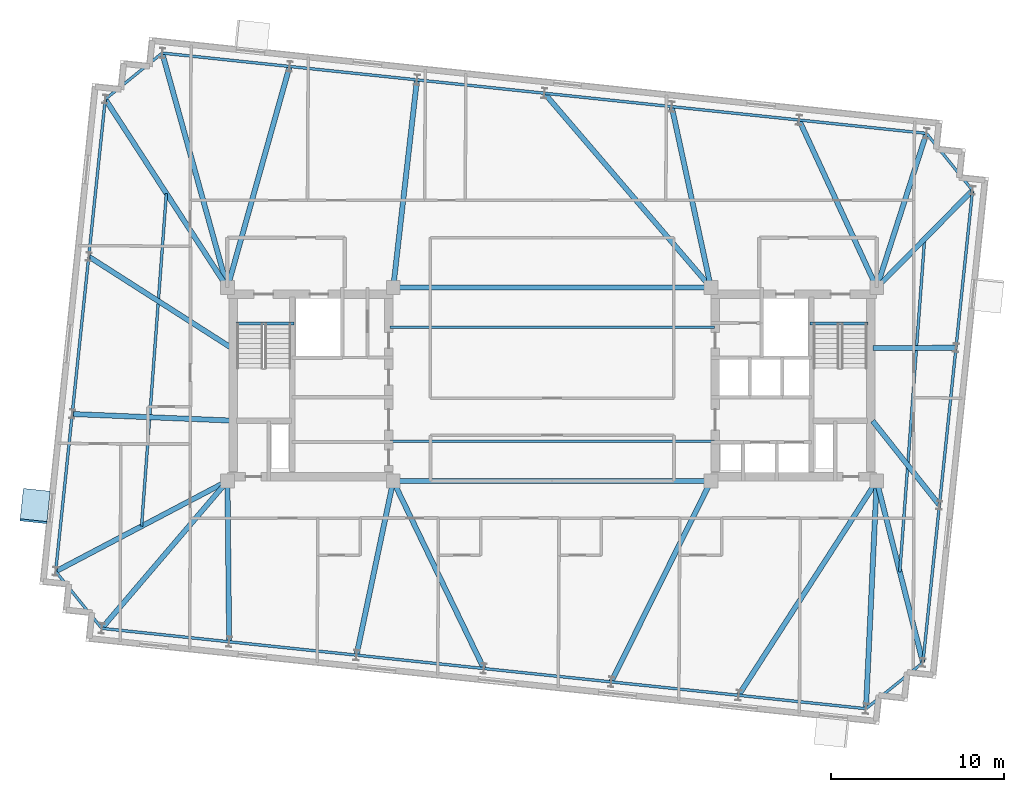
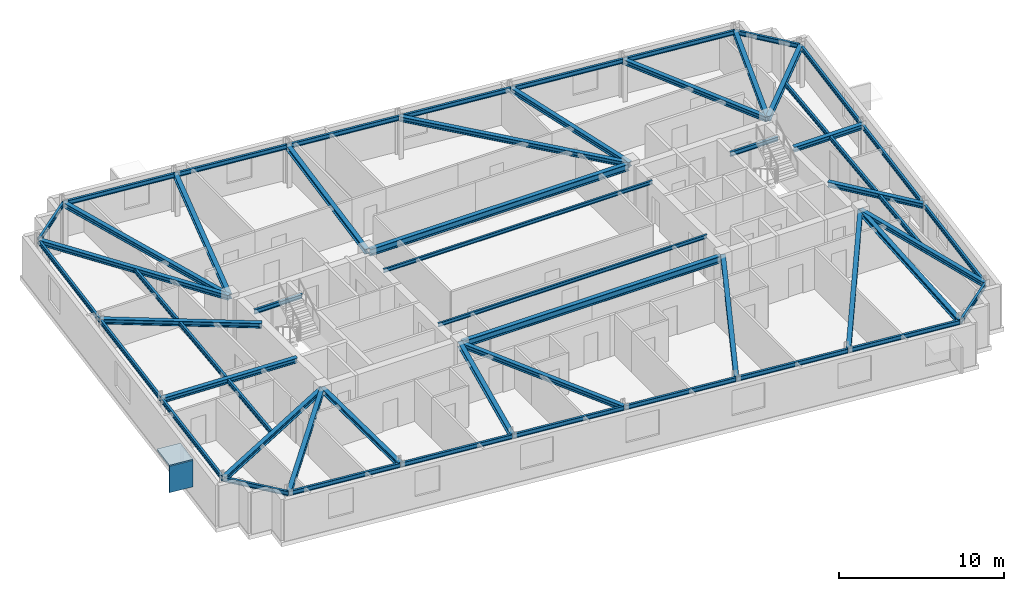
# One storey, part 4 of 11: 52 beams, 2 plates.
"""IFC4 building model written with IfcOpenShell, lengths in metres."""

from ifc_helpers import new_model, si_unit, direction, frame, origin, origin_2d, place, context, subcontext, project, spatial, rectangle, i_section, extrude, material, layer, layer_set, material_profile, profile_set, type_object, element, save


model = new_model("IFC4")

# Units and contexts
model_context = context("Model", 3, precision=1e-05, world=origin(), true_north=direction((0.0, 1.0)))
body_context = subcontext(model_context, "Body", "Model", "MODEL_VIEW")
ifc_project = project(units=[si_unit("LENGTHUNIT", "METRE"), si_unit("AREAUNIT", "SQUARE_METRE"), si_unit("VOLUMEUNIT", "CUBIC_METRE"), si_unit("PLANEANGLEUNIT", "RADIAN"), si_unit("MASSUNIT", "GRAM", prefix="KILO")], contexts=[model_context])

# Site, building, storey
site_placement = place(None, origin())
site = spatial("IfcSite", under=ifc_project, at=site_placement, CompositionType="ELEMENT")
building_placement = place(site_placement, origin())
building = spatial("IfcBuilding", under=site, at=building_placement, Name="Qobustan Lattice House", CompositionType="ELEMENT")
storey_placement = place(building_placement, frame((0.0, 0.0, 216.5)))
storey = spatial("IfcBuildingStorey", under=building, at=storey_placement, Name="L61", CompositionType="ELEMENT", Elevation=216.5)

# Beams
ifc_material_1 = material(Name="Steel S355", Category="steel")
ifc_material_profile_1 = material_profile(ifc_material_1, i_section(OverallWidth=0.300048828125, OverallDepth=0.5, WebThickness=0.014404296875, FlangeThickness=0.028076171875, FilletRadius=0.027099609375, at=origin_2d()), Name="HEB500")
ifc_profile_set_1 = profile_set([ifc_material_profile_1], Name="Steel S355")
beam_type_1 = type_object("IfcBeamType", Name="BM-CG-HEB500", PredefinedType="USERDEFINED", material=ifc_profile_set_1)
for number, where, z_axis, x_axis, name in (
    (1, (-9.050048828125, -5.60009765625, 2.7900390625), (1.0, 0.0, 0.0), (0.0, 1.0, 0.0), "L61 core spine girder CG-CS"),
    (2, (-9.050048828125, 5.60009765625, 2.7900390625), (1.0, 0.0, 0.0), (0.0, 1.0, 0.0), "L61 core spine girder CG-CN"),
):
    element("IfcBeam", number, at=place(storey_placement, frame(where, z_axis=z_axis, x_axis=x_axis)), inside=storey, type_object=beam_type_1, Name=name, ObjectType="GIRDER", PredefinedType="USERDEFINED", context=body_context, shape_type="SweptSolid", body=[
        extrude(i_section(OverallWidth=0.300048828125, OverallDepth=0.5, WebThickness=0.014404296875, FlangeThickness=0.028076171875, FilletRadius=0.027099609375, at=origin_2d()), origin(), (0.0, 0.0, 1.0), 18.10009765625),
    ])
ifc_material_2 = material(Name="Steel S355", Category="steel")
ifc_material_profile_2 = material_profile(ifc_material_2, i_section(OverallWidth=0.300048828125, OverallDepth=0.360107421875, WebThickness=0.012451171875, FlangeThickness=0.0224609375, FilletRadius=0.027099609375, at=origin_2d()), Name="HEB360")
ifc_profile_set_2 = profile_set([ifc_material_profile_2], Name="Steel S355")
beam_type_2 = type_object("IfcBeamType", Name="BM-FLG-HEB360", PredefinedType="USERDEFINED", material=ifc_profile_set_2)
beam_1_placement = place(storey_placement, frame((-26.062744140625, -14.113525390625, 2.860107421875), z_axis=(0.649006911642, 0.760782510736, 0.0), x_axis=(-0.760782510736, 0.649006911642, 0.0)))
element("IfcBeam", 3, at=beam_1_placement, inside=storey, type_object=beam_type_2, Name="L61 primary floor girder RAD-S1W", ObjectType="GIRDER", PredefinedType="USERDEFINED", context=body_context, shape_type="SweptSolid", body=[
    extrude(i_section(OverallWidth=0.300048828125, OverallDepth=0.360107421875, WebThickness=0.012451171875, FlangeThickness=0.0224609375, FilletRadius=0.027099609375, at=origin_2d()), origin(), (0.0, 0.0, 1.0), 11.16552734375),
])
beam_2_placement = place(storey_placement, frame((-18.703125, -14.8828125, 2.860107421875), z_axis=(-0.010442468578, 0.999945475939, 0.0), x_axis=(-0.999945475939, -0.010442468578, 0.0)))
element("IfcBeam", 4, at=beam_2_placement, inside=storey, type_object=beam_type_2, Name="L61 primary floor girder RAD-S2", ObjectType="GIRDER", PredefinedType="USERDEFINED", context=body_context, shape_type="SweptSolid", body=[
    extrude(i_section(OverallWidth=0.300048828125, OverallDepth=0.360107421875, WebThickness=0.012451171875, FlangeThickness=0.0224609375, FilletRadius=0.027099609375, at=origin_2d()), origin(), (0.0, 0.0, 1.0), 9.25830078125),
])
beam_3_placement = place(storey_placement, frame((-11.32177734375, -15.658447265625, 2.860107421875), z_axis=(0.206411213198, 0.978465334627, 0.0), x_axis=(-0.978465334627, 0.206411213198, 0.0)))
element("IfcBeam", 5, at=beam_3_placement, inside=storey, type_object=beam_type_2, Name="L61 primary floor girder RAD-S3", ObjectType="GIRDER", PredefinedType="USERDEFINED", context=body_context, shape_type="SweptSolid", body=[
    extrude(i_section(OverallWidth=0.300048828125, OverallDepth=0.360107421875, WebThickness=0.012451171875, FlangeThickness=0.0224609375, FilletRadius=0.027099609375, at=origin_2d()), origin(), (0.0, 0.0, 1.0), 10.2548828125),
])
beam_4_placement = place(storey_placement, frame((-3.9619140625, -16.435791015625, 2.860107421875), z_axis=(-0.435229353302, 0.900319615483, 0.0), x_axis=(-0.900319615483, -0.435229353302, 0.0)))
element("IfcBeam", 6, at=beam_4_placement, inside=storey, type_object=beam_type_2, Name="L61 primary floor girder RAD-S4", ObjectType="GIRDER", PredefinedType="USERDEFINED", context=body_context, shape_type="SweptSolid", body=[
    extrude(i_section(OverallWidth=0.300048828125, OverallDepth=0.360107421875, WebThickness=0.012451171875, FlangeThickness=0.0224609375, FilletRadius=0.027099609375, at=origin_2d()), origin(), (0.0, 0.0, 1.0), 12.010498046875),
])
beam_5_placement = place(storey_placement, frame((3.436279296875, -17.211181640625, 2.860107421875), z_axis=(0.444630337125, 0.895714163843, 0.0), x_axis=(-0.895714163843, 0.444630337125, 0.0)))
element("IfcBeam", 7, at=beam_5_placement, inside=storey, type_object=beam_type_2, Name="L61 primary floor girder RAD-S5", ObjectType="GIRDER", PredefinedType="USERDEFINED", context=body_context, shape_type="SweptSolid", body=[
    extrude(i_section(OverallWidth=0.300048828125, OverallDepth=0.360107421875, WebThickness=0.012451171875, FlangeThickness=0.0224609375, FilletRadius=0.027099609375, at=origin_2d()), origin(), (0.0, 0.0, 1.0), 12.938232421875),
])
beam_6_placement = place(storey_placement, frame((10.814697265625, -17.98779296875, 2.860107421875), z_axis=(0.541810491961, 0.840500678644, 0.0), x_axis=(-0.840500678644, 0.541810491961, 0.0)))
element("IfcBeam", 8, at=beam_6_placement, inside=storey, type_object=beam_type_2, Name="L61 primary floor girder RAD-S6", ObjectType="GIRDER", PredefinedType="USERDEFINED", context=body_context, shape_type="SweptSolid", body=[
    extrude(i_section(OverallWidth=0.300048828125, OverallDepth=0.360107421875, WebThickness=0.012451171875, FlangeThickness=0.0224609375, FilletRadius=0.027099609375, at=origin_2d()), origin(), (0.0, 0.0, 1.0), 14.71337890625),
])
beam_7_placement = place(storey_placement, frame((18.178466796875, -18.759033203125, 2.860107421875), z_axis=(0.047180517312, 0.998886379318, 0.0), x_axis=(-0.998886379318, 0.047180517312, 0.0)))
element("IfcBeam", 9, at=beam_7_placement, inside=storey, type_object=beam_type_2, Name="L61 primary floor girder RAD-S7E", ObjectType="GIRDER", PredefinedType="USERDEFINED", context=body_context, shape_type="SweptSolid", body=[
    extrude(i_section(OverallWidth=0.300048828125, OverallDepth=0.360107421875, WebThickness=0.012451171875, FlangeThickness=0.0224609375, FilletRadius=0.027099609375, at=origin_2d()), origin(), (0.0, 0.0, 1.0), 13.148681640625),
])
beam_8_placement = place(storey_placement, frame((-22.570556640625, 19.159912109375, 2.860107421875), z_axis=(0.267904661715, -0.963445427739, 0.0), x_axis=(0.963445427739, 0.267904661715, 0.0)))
element("IfcBeam", 10, at=beam_8_placement, inside=storey, type_object=beam_type_2, Name="L61 primary floor girder RAD-N7W", ObjectType="GIRDER", PredefinedType="USERDEFINED", context=body_context, shape_type="SweptSolid", body=[
    extrude(i_section(OverallWidth=0.300048828125, OverallDepth=0.360107421875, WebThickness=0.012451171875, FlangeThickness=0.0224609375, FilletRadius=0.027099609375, at=origin_2d()), origin(), (0.0, 0.0, 1.0), 14.049560546875),
])
beam_9_placement = place(storey_placement, frame((-15.2080078125, 18.384521484375, 2.860107421875), z_axis=(-0.270487929903, -0.962723366174, 0.0), x_axis=(0.962723366174, -0.270487929903, 0.0)))
element("IfcBeam", 11, at=beam_9_placement, inside=storey, type_object=beam_type_2, Name="L61 primary floor girder RAD-N6", ObjectType="GIRDER", PredefinedType="USERDEFINED", context=body_context, shape_type="SweptSolid", body=[
    extrude(i_section(OverallWidth=0.300048828125, OverallDepth=0.360107421875, WebThickness=0.012451171875, FlangeThickness=0.0224609375, FilletRadius=0.027099609375, at=origin_2d()), origin(), (0.0, 0.0, 1.0), 13.254638671875),
])
beam_10_placement = place(storey_placement, frame((-7.827880859375, 17.608642578125, 2.860107421875), z_axis=(-0.11353003651, -0.993534564477, 0.0), x_axis=(0.993534564477, -0.11353003651, 0.0)))
element("IfcBeam", 12, at=beam_10_placement, inside=storey, type_object=beam_type_2, Name="L61 primary floor girder RAD-N5", ObjectType="GIRDER", PredefinedType="USERDEFINED", context=body_context, shape_type="SweptSolid", body=[
    extrude(i_section(OverallWidth=0.300048828125, OverallDepth=0.360107421875, WebThickness=0.012451171875, FlangeThickness=0.0224609375, FilletRadius=0.027099609375, at=origin_2d()), origin(), (0.0, 0.0, 1.0), 12.061767578125),
])
beam_11_placement = place(storey_placement, frame((-0.432861328125, 16.839111328125, 2.860107421875), z_axis=(0.650757358368, -0.759285756833, 0.0), x_axis=(0.759285756833, 0.650757358368, 0.0)))
element("IfcBeam", 13, at=beam_11_placement, inside=storey, type_object=beam_type_2, Name="L61 primary floor girder RAD-N4", ObjectType="GIRDER", PredefinedType="USERDEFINED", context=body_context, shape_type="SweptSolid", body=[
    extrude(i_section(OverallWidth=0.300048828125, OverallDepth=0.360107421875, WebThickness=0.012451171875, FlangeThickness=0.0224609375, FilletRadius=0.027099609375, at=origin_2d()), origin(), (0.0, 0.0, 1.0), 14.77734375),
])
beam_12_placement = place(storey_placement, frame((6.93212890625, 16.05859375, 2.860107421875), z_axis=(0.211908420044, -0.977289527988, 0.0), x_axis=(0.977289527988, 0.211908420044, 0.0)))
element("IfcBeam", 14, at=beam_12_placement, inside=storey, type_object=beam_type_2, Name="L61 primary floor girder RAD-N3", ObjectType="GIRDER", PredefinedType="USERDEFINED", context=body_context, shape_type="SweptSolid", body=[
    extrude(i_section(OverallWidth=0.300048828125, OverallDepth=0.360107421875, WebThickness=0.012451171875, FlangeThickness=0.0224609375, FilletRadius=0.027099609375, at=origin_2d()), origin(), (0.0, 0.0, 1.0), 10.676513671875),
])
beam_13_placement = place(storey_placement, frame((14.3134765625, 15.284912109375, 2.860107421875), z_axis=(0.420345924661, -0.907363931188, 0.0), x_axis=(0.907363931188, 0.420345924661, 0.0)))
element("IfcBeam", 15, at=beam_13_placement, inside=storey, type_object=beam_type_2, Name="L61 primary floor girder RAD-N2", ObjectType="GIRDER", PredefinedType="USERDEFINED", context=body_context, shape_type="SweptSolid", body=[
    extrude(i_section(OverallWidth=0.300048828125, OverallDepth=0.360107421875, WebThickness=0.012451171875, FlangeThickness=0.0224609375, FilletRadius=0.027099609375, at=origin_2d()), origin(), (0.0, 0.0, 1.0), 10.6484375),
])
beam_14_placement = place(storey_placement, frame((21.67138671875, 14.5087890625, 2.860107421875), z_axis=(-0.306773532579, -0.951782538035, 0.0), x_axis=(0.951782538035, -0.306773532579, 0.0)))
element("IfcBeam", 16, at=beam_14_placement, inside=storey, type_object=beam_type_2, Name="L61 primary floor girder RAD-N1E", ObjectType="GIRDER", PredefinedType="USERDEFINED", context=body_context, shape_type="SweptSolid", body=[
    extrude(i_section(OverallWidth=0.300048828125, OverallDepth=0.360107421875, WebThickness=0.012451171875, FlangeThickness=0.0224609375, FilletRadius=0.027099609375, at=origin_2d()), origin(), (0.0, 0.0, 1.0), 9.335205078125),
])
beam_15_placement = place(storey_placement, frame((-25.86083984375, 16.492919921875, 2.860107421875), z_axis=(0.543926170046, -0.839133077371, 0.0), x_axis=(0.839133077371, 0.543926170046, 0.0)))
element("IfcBeam", 17, at=beam_15_placement, inside=storey, type_object=beam_type_2, Name="L61 primary floor girder RAD-W1", ObjectType="GIRDER", PredefinedType="USERDEFINED", context=body_context, shape_type="SweptSolid", body=[
    extrude(i_section(OverallWidth=0.300048828125, OverallDepth=0.360107421875, WebThickness=0.012451171875, FlangeThickness=0.0224609375, FilletRadius=0.027099609375, at=origin_2d()), origin(), (0.0, 0.0, 1.0), 12.9560546875),
])
beam_16_placement = place(storey_placement, frame((-26.8115234375, 7.384033203125, 2.860107421875), z_axis=(0.842429105495, -0.538807203195, 0.0), x_axis=(0.538807203195, 0.842429105495, 0.0)))
element("IfcBeam", 18, at=beam_16_placement, inside=storey, type_object=beam_type_2, Name="L61 primary floor girder RAD-W2", ObjectType="GIRDER", PredefinedType="USERDEFINED", context=body_context, shape_type="SweptSolid", body=[
    extrude(i_section(OverallWidth=0.300048828125, OverallDepth=0.360107421875, WebThickness=0.012451171875, FlangeThickness=0.0224609375, FilletRadius=0.027099609375, at=origin_2d()), origin(), (0.0, 0.0, 1.0), 9.78173828125),
])
beam_17_placement = place(storey_placement, frame((-27.765869140625, -1.719970703125, 2.860107421875), z_axis=(0.999150190925, -0.041217665795, 0.0), x_axis=(0.041217665795, 0.999150190925, 0.0)))
element("IfcBeam", 19, at=beam_17_placement, inside=storey, type_object=beam_type_2, Name="L61 primary floor girder RAD-W3", ObjectType="GIRDER", PredefinedType="USERDEFINED", context=body_context, shape_type="SweptSolid", body=[
    extrude(i_section(OverallWidth=0.300048828125, OverallDepth=0.360107421875, WebThickness=0.012451171875, FlangeThickness=0.0224609375, FilletRadius=0.027099609375, at=origin_2d()), origin(), (0.0, 0.0, 1.0), 9.19873046875),
])
beam_18_placement = place(storey_placement, frame((-28.726806640625, -10.82373046875, 2.860107421875), z_axis=(0.884950868639, 0.465684399669, 0.0), x_axis=(-0.465684399669, 0.884950868639, 0.0)))
element("IfcBeam", 20, at=beam_18_placement, inside=storey, type_object=beam_type_2, Name="L61 primary floor girder RAD-W4", ObjectType="GIRDER", PredefinedType="USERDEFINED", context=body_context, shape_type="SweptSolid", body=[
    extrude(i_section(OverallWidth=0.300048828125, OverallDepth=0.360107421875, WebThickness=0.012451171875, FlangeThickness=0.0224609375, FilletRadius=0.027099609375, at=origin_2d()), origin(), (0.0, 0.0, 1.0), 11.1923828125),
])
beam_19_placement = place(storey_placement, frame((24.331298828125, 11.217529296875, 2.860107421875), z_axis=(-0.701633616284, -0.712537906712, 0.0), x_axis=(0.712537906712, -0.701633616284, 0.0)))
element("IfcBeam", 21, at=beam_19_placement, inside=storey, type_object=beam_type_2, Name="L61 primary floor girder RAD-E4", ObjectType="GIRDER", PredefinedType="USERDEFINED", context=body_context, shape_type="SweptSolid", body=[
    extrude(i_section(OverallWidth=0.300048828125, OverallDepth=0.360107421875, WebThickness=0.012451171875, FlangeThickness=0.0224609375, FilletRadius=0.027099609375, at=origin_2d()), origin(), (0.0, 0.0, 1.0), 7.858642578125),
])
beam_20_placement = place(storey_placement, frame((23.36572265625, 2.118896484375, 2.860107421875), z_axis=(-0.999992301331, -0.003923936564, 0.0), x_axis=(0.003923936564, -0.999992301331, 0.0)))
element("IfcBeam", 22, at=beam_20_placement, inside=storey, type_object=beam_type_2, Name="L61 primary floor girder RAD-E3", ObjectType="GIRDER", PredefinedType="USERDEFINED", context=body_context, shape_type="SweptSolid", body=[
    extrude(i_section(OverallWidth=0.300048828125, OverallDepth=0.360107421875, WebThickness=0.012451171875, FlangeThickness=0.0224609375, FilletRadius=0.027099609375, at=origin_2d()), origin(), (0.0, 0.0, 1.0), 4.790771484375),
])
beam_21_placement = place(storey_placement, frame((22.4169921875, -6.97802734375, 2.860107421875), z_axis=(-0.621231320857, 0.783627236629, 0.0), x_axis=(-0.783627236629, -0.621231320857, 0.0)))
element("IfcBeam", 23, at=beam_21_placement, inside=storey, type_object=beam_type_2, Name="L61 primary floor girder RAD-E2", ObjectType="GIRDER", PredefinedType="USERDEFINED", context=body_context, shape_type="SweptSolid", body=[
    extrude(i_section(OverallWidth=0.300048828125, OverallDepth=0.360107421875, WebThickness=0.012451171875, FlangeThickness=0.0224609375, FilletRadius=0.027099609375, at=origin_2d()), origin(), (0.0, 0.0, 1.0), 6.199951171875),
])
beam_22_placement = place(storey_placement, frame((21.46826171875, -16.08984375, 2.860107421875), z_axis=(-0.246517911643, 0.969138235361, 0.0), x_axis=(-0.969138235361, -0.246517911643, 0.0)))
element("IfcBeam", 24, at=beam_22_placement, inside=storey, type_object=beam_type_2, Name="L61 primary floor girder RAD-E1", ObjectType="GIRDER", PredefinedType="USERDEFINED", context=body_context, shape_type="SweptSolid", body=[
    extrude(i_section(OverallWidth=0.300048828125, OverallDepth=0.360107421875, WebThickness=0.012451171875, FlangeThickness=0.0224609375, FilletRadius=0.027099609375, at=origin_2d()), origin(), (0.0, 0.0, 1.0), 10.798828125),
])
ifc_material_3 = material(Name="Steel S355", Category="steel")
ifc_material_profile_3 = material_profile(ifc_material_3, i_section(OverallWidth=0.135009765625, OverallDepth=0.27001953125, WebThickness=0.006591796875, FlangeThickness=0.01025390625, FilletRadius=0.014892578125, at=origin_2d()), Name="IPE270")
ifc_profile_set_3 = profile_set([ifc_material_profile_3], Name="Steel S355")
beam_type_3 = type_object("IfcBeamType", Name="BM-JST-IPE270", PredefinedType="JOIST", material=ifc_profile_set_3)
for number, where, z_axis, x_axis, name in (
    (25, (-9.39990234375, -3.300048828125, 2.905029296875), (1.0, 0.0, 0.0), (0.0, 1.0, 0.0), "L61 central span floor joist 1"),
    (26, (-9.39990234375, 3.300048828125, 2.905029296875), (1.0, 0.0, 0.0), (0.0, 1.0, 0.0), "L61 central span floor joist 2"),
):
    element("IfcBeam", number, at=place(storey_placement, frame(where, z_axis=z_axis, x_axis=x_axis)), inside=storey, type_object=beam_type_3, Name=name, PredefinedType="JOIST", context=body_context, shape_type="SweptSolid", body=[
        extrude(i_section(OverallWidth=0.135009765625, OverallDepth=0.27001953125, WebThickness=0.006591796875, FlangeThickness=0.01025390625, FilletRadius=0.014892578125, at=origin_2d()), origin(), (0.0, 0.0, 1.0), 18.7998046875),
    ])
ifc_material_4 = material(Name="Steel S355", Category="steel")
ifc_material_profile_4 = material_profile(ifc_material_4, i_section(OverallWidth=0.159912109375, OverallDepth=0.330078125, WebThickness=0.007568359375, FlangeThickness=0.011474609375, FilletRadius=0.01806640625, at=origin_2d()), Name="IPE330")
ifc_profile_set_4 = profile_set([ifc_material_profile_4], Name="Steel S355")
beam_type_4 = type_object("IfcBeamType", Name="BM-SEC-IPE330", PredefinedType="BEAM", material=ifc_profile_set_4)
beam_23_placement = place(storey_placement, frame((-22.337158203125, 11.056884765625, 2.875), z_axis=(-0.074361616657, -0.997231342251, 0.0), x_axis=(0.997231342251, -0.074361616657, 0.0)))
element("IfcBeam", 27, at=beam_23_placement, inside=storey, type_object=beam_type_4, Name="L61 west wing secondary beam", PredefinedType="BEAM", context=body_context, shape_type="SweptSolid", body=[
    extrude(i_section(OverallWidth=0.159912109375, OverallDepth=0.330078125, WebThickness=0.007568359375, FlangeThickness=0.011474609375, FilletRadius=0.01806640625, at=origin_2d()), origin(), (0.0, 0.0, 1.0), 19.327880859375),
])
beam_24_placement = place(storey_placement, frame((21.574462890625, 8.417724609375, 2.875), z_axis=(-0.074360679971, -0.997231412098, 0.0), x_axis=(0.997231412098, -0.074360679971, 0.0)))
element("IfcBeam", 28, at=beam_24_placement, inside=storey, type_object=beam_type_4, Name="L61 east wing secondary beam", PredefinedType="BEAM", context=body_context, shape_type="SweptSolid", body=[
    extrude(i_section(OverallWidth=0.159912109375, OverallDepth=0.330078125, WebThickness=0.007568359375, FlangeThickness=0.011474609375, FilletRadius=0.01806640625, at=origin_2d()), origin(), (0.0, 0.0, 1.0), 19.328125),
])
ifc_material_5 = material(Name="Steel S355", Category="steel")
ifc_material_profile_5 = material_profile(ifc_material_5, i_section(OverallWidth=0.159912109375, OverallDepth=0.330078125, WebThickness=0.007568359375, FlangeThickness=0.011474609375, FilletRadius=0.01806640625, at=origin_2d()), Name="IPE330")
ifc_profile_set_5 = profile_set([ifc_material_profile_5], Name="Steel S355")
beam_type_5 = type_object("IfcBeamType", Name="BM-SPD-IPE330", PredefinedType="SPANDREL", material=ifc_profile_set_5)
for number, where, z_axis, x_axis, name in (
    (29, (-18.300048828125, 3.52001953125, 2.875), (1.0, 0.0, 0.0), (0.0, 1.0, 0.0), "L61 west stair landing trimmer beam"),
    (30, (14.949951171875, 3.52001953125, 2.875), (1.0, 0.0, 0.0), (0.0, 1.0, 0.0), "L61 east stair landing trimmer beam"),
):
    element("IfcBeam", number, at=place(storey_placement, frame(where, z_axis=z_axis, x_axis=x_axis)), inside=storey, type_object=beam_type_5, Name=name, PredefinedType="SPANDREL", context=body_context, shape_type="SweptSolid", body=[
        extrude(i_section(OverallWidth=0.159912109375, OverallDepth=0.330078125, WebThickness=0.007568359375, FlangeThickness=0.011474609375, FilletRadius=0.01806640625, at=origin_2d()), origin(), (0.0, 0.0, 1.0), 3.35009765625),
    ])
beam_25_placement = place(storey_placement, frame((-26.05419921875, -14.135009765625, 2.875), z_axis=(0.99452214685, -0.104526070551, 0.0), x_axis=(0.104526070551, 0.99452214685, 0.0)))
element("IfcBeam", 31, at=beam_25_placement, inside=storey, type_object=beam_type_5, Name="L61 perimeter spandrel S1-S2", PredefinedType="SPANDREL", context=body_context, shape_type="SweptSolid", body=[
    extrude(i_section(OverallWidth=0.159912109375, OverallDepth=0.330078125, WebThickness=0.007568359375, FlangeThickness=0.011474609375, FilletRadius=0.01806640625, at=origin_2d()), origin(), (0.0, 0.0, 1.0), 7.36669921875),
])
for number, where, z_axis, x_axis, name in (
    (32, (-18.677978515625, -14.910400390625, 2.875), (0.994521784746, -0.104529515765, 0.0), (0.104529515765, 0.994521784746, 0.0), "L61 perimeter spandrel S2-S3"),
    (33, (-11.302001953125, -15.685546875, 2.875), (0.994521784746, -0.104529515765, 0.0), (0.104529515765, 0.994521784746, 0.0), "L61 perimeter spandrel S3-S4"),
):
    element("IfcBeam", number, at=place(storey_placement, frame(where, z_axis=z_axis, x_axis=x_axis)), inside=storey, type_object=beam_type_5, Name=name, PredefinedType="SPANDREL", context=body_context, shape_type="SweptSolid", body=[
        extrude(i_section(OverallWidth=0.159912109375, OverallDepth=0.330078125, WebThickness=0.007568359375, FlangeThickness=0.011474609375, FilletRadius=0.01806640625, at=origin_2d()), origin(), (0.0, 0.0, 1.0), 7.366455078125),
    ])
beam_26_placement = place(storey_placement, frame((-3.926025390625, -16.460693359375, 2.875), z_axis=(0.99451870122, -0.10455884909, 0.0), x_axis=(0.10455884909, 0.99451870122, 0.0)))
element("IfcBeam", 34, at=beam_26_placement, inside=storey, type_object=beam_type_5, Name="L61 perimeter spandrel S4-S5", PredefinedType="SPANDREL", context=body_context, shape_type="SweptSolid", body=[
    extrude(i_section(OverallWidth=0.159912109375, OverallDepth=0.330078125, WebThickness=0.007568359375, FlangeThickness=0.011474609375, FilletRadius=0.01806640625, at=origin_2d()), origin(), (0.0, 0.0, 1.0), 7.36669921875),
])
for number, where, z_axis, x_axis, name in (
    (35, (3.4501953125, -17.236083984375, 2.875), (0.994521784746, -0.104529515765, 0.0), (0.104529515765, 0.994521784746, 0.0), "L61 perimeter spandrel S5-S6"),
    (36, (10.826171875, -18.01123046875, 2.875), (0.99451833889, -0.104562295361, 0.0), (0.104562295361, 0.99451833889, 0.0), "L61 perimeter spandrel S6-S7"),
):
    element("IfcBeam", number, at=place(storey_placement, frame(where, z_axis=z_axis, x_axis=x_axis)), inside=storey, type_object=beam_type_5, Name=name, PredefinedType="SPANDREL", context=body_context, shape_type="SweptSolid", body=[
        extrude(i_section(OverallWidth=0.159912109375, OverallDepth=0.330078125, WebThickness=0.007568359375, FlangeThickness=0.011474609375, FilletRadius=0.01806640625, at=origin_2d()), origin(), (0.0, 0.0, 1.0), 7.366455078125),
    ])
beam_27_placement = place(storey_placement, frame((18.19677734375, -18.768310546875, 2.875), z_axis=(0.777128239225, 0.629342275554, 0.0), x_axis=(-0.629342275554, 0.777128239225, 0.0)))
element("IfcBeam", 37, at=beam_27_placement, inside=storey, type_object=beam_type_5, Name="L61 perimeter spandrel S7-E1", PredefinedType="SPANDREL", context=body_context, shape_type="SweptSolid", body=[
    extrude(i_section(OverallWidth=0.159912109375, OverallDepth=0.330078125, WebThickness=0.007568359375, FlangeThickness=0.011474609375, FilletRadius=0.01806640625, at=origin_2d()), origin(), (0.0, 0.0, 1.0), 4.192626953125),
])
for number, where, z_axis, x_axis, name in (
    (38, (21.47705078125, -16.089111328125, 2.875), (0.10452168293, 0.994522607987, 0.0), (-0.994522607987, 0.10452168293, 0.0), "L61 perimeter spandrel E1-E2"),
    (39, (22.435302734375, -6.97265625, 2.875), (0.10452168293, 0.994522607987, 0.0), (-0.994522607987, 0.10452168293, 0.0), "L61 perimeter spandrel E2-E3"),
    (40, (23.393310546875, 2.143798828125, 2.875), (0.10452168293, 0.994522607987, 0.0), (-0.994522607987, 0.10452168293, 0.0), "L61 perimeter spandrel E3-E4"),
):
    element("IfcBeam", number, at=place(storey_placement, frame(where, z_axis=z_axis, x_axis=x_axis)), inside=storey, type_object=beam_type_5, Name=name, PredefinedType="SPANDREL", context=body_context, shape_type="SweptSolid", body=[
        extrude(i_section(OverallWidth=0.159912109375, OverallDepth=0.330078125, WebThickness=0.007568359375, FlangeThickness=0.011474609375, FilletRadius=0.01806640625, at=origin_2d()), origin(), (0.0, 0.0, 1.0), 9.11669921875),
    ])
beam_28_placement = place(storey_placement, frame((24.333251953125, 11.254638671875, 2.875), z_axis=(-0.629313797654, 0.777151300637, 0.0), x_axis=(-0.777151300637, -0.629313797654, 0.0)))
element("IfcBeam", 41, at=beam_28_placement, inside=storey, type_object=beam_type_5, Name="L61 perimeter spandrel E4-N1", PredefinedType="SPANDREL", context=body_context, shape_type="SweptSolid", body=[
    extrude(i_section(OverallWidth=0.159912109375, OverallDepth=0.330078125, WebThickness=0.007568359375, FlangeThickness=0.011474609375, FilletRadius=0.01806640625, at=origin_2d()), origin(), (0.0, 0.0, 1.0), 4.19287109375),
])
for number, where, z_axis, x_axis, name in (
    (42, (21.654052734375, 14.53515625, 2.875), (-0.994521784746, 0.104529515765, 0.0), (-0.104529515765, -0.994521784746, 0.0), "L61 perimeter spandrel N1-N2"),
    (43, (14.278076171875, 15.310302734375, 2.875), (-0.994521784746, 0.104529515765, 0.0), (-0.104529515765, -0.994521784746, 0.0), "L61 perimeter spandrel N2-N3"),
):
    element("IfcBeam", number, at=place(storey_placement, frame(where, z_axis=z_axis, x_axis=x_axis)), inside=storey, type_object=beam_type_5, Name=name, PredefinedType="SPANDREL", context=body_context, shape_type="SweptSolid", body=[
        extrude(i_section(OverallWidth=0.159912109375, OverallDepth=0.330078125, WebThickness=0.007568359375, FlangeThickness=0.011474609375, FilletRadius=0.01806640625, at=origin_2d()), origin(), (0.0, 0.0, 1.0), 7.366455078125),
    ])
beam_29_placement = place(storey_placement, frame((6.902099609375, 16.085693359375, 2.875), z_axis=(-0.99452214685, 0.104526070551, 0.0), x_axis=(-0.104526070551, -0.99452214685, 0.0)))
element("IfcBeam", 44, at=beam_29_placement, inside=storey, type_object=beam_type_5, Name="L61 perimeter spandrel N3-N4", PredefinedType="SPANDREL", context=body_context, shape_type="SweptSolid", body=[
    extrude(i_section(OverallWidth=0.159912109375, OverallDepth=0.330078125, WebThickness=0.007568359375, FlangeThickness=0.011474609375, FilletRadius=0.01806640625, at=origin_2d()), origin(), (0.0, 0.0, 1.0), 7.36669921875),
])
for number, where, z_axis, x_axis, name in (
    (45, (-0.47412109375, 16.86083984375, 2.875), (-0.994521784746, 0.104529515765, 0.0), (-0.104529515765, -0.994521784746, 0.0), "L61 perimeter spandrel N4-N5"),
    (46, (-7.85009765625, 17.635986328125, 2.875), (-0.994521784746, 0.104529515765, 0.0), (-0.104529515765, -0.994521784746, 0.0), "L61 perimeter spandrel N5-N6"),
):
    element("IfcBeam", number, at=place(storey_placement, frame(where, z_axis=z_axis, x_axis=x_axis)), inside=storey, type_object=beam_type_5, Name=name, PredefinedType="SPANDREL", context=body_context, shape_type="SweptSolid", body=[
        extrude(i_section(OverallWidth=0.159912109375, OverallDepth=0.330078125, WebThickness=0.007568359375, FlangeThickness=0.011474609375, FilletRadius=0.01806640625, at=origin_2d()), origin(), (0.0, 0.0, 1.0), 7.366455078125),
    ])
beam_30_placement = place(storey_placement, frame((-15.22607421875, 18.411376953125, 2.875), z_axis=(-0.99452214685, 0.104526070551, 0.0), x_axis=(-0.104526070551, -0.99452214685, 0.0)))
element("IfcBeam", 47, at=beam_30_placement, inside=storey, type_object=beam_type_5, Name="L61 perimeter spandrel N6-N7", PredefinedType="SPANDREL", context=body_context, shape_type="SweptSolid", body=[
    extrude(i_section(OverallWidth=0.159912109375, OverallDepth=0.330078125, WebThickness=0.007568359375, FlangeThickness=0.011474609375, FilletRadius=0.01806640625, at=origin_2d()), origin(), (0.0, 0.0, 1.0), 7.36669921875),
])
beam_31_placement = place(storey_placement, frame((-22.5966796875, 19.168212890625, 2.875), z_axis=(-0.777156718239, -0.629307107299, 0.0), x_axis=(0.629307107299, -0.777156718239, 0.0)))
element("IfcBeam", 48, at=beam_31_placement, inside=storey, type_object=beam_type_5, Name="L61 perimeter spandrel N7-W1", PredefinedType="SPANDREL", context=body_context, shape_type="SweptSolid", body=[
    extrude(i_section(OverallWidth=0.159912109375, OverallDepth=0.330078125, WebThickness=0.007568359375, FlangeThickness=0.011474609375, FilletRadius=0.01806640625, at=origin_2d()), origin(), (0.0, 0.0, 1.0), 4.192626953125),
])
beam_32_placement = place(storey_placement, frame((-25.876953125, 16.489013671875, 2.875), z_axis=(-0.104550954592, -0.994519531178, 0.0), x_axis=(0.994519531178, -0.104550954592, 0.0)))
element("IfcBeam", 49, at=beam_32_placement, inside=storey, type_object=beam_type_5, Name="L61 perimeter spandrel W1-W2", PredefinedType="SPANDREL", context=body_context, shape_type="SweptSolid", body=[
    extrude(i_section(OverallWidth=0.159912109375, OverallDepth=0.330078125, WebThickness=0.007568359375, FlangeThickness=0.011474609375, FilletRadius=0.01806640625, at=origin_2d()), origin(), (0.0, 0.0, 1.0), 9.116455078125),
])
beam_33_placement = place(storey_placement, frame((-26.835205078125, 7.372802734375, 2.875), z_axis=(-0.104518899262, -0.994522900539, 0.0), x_axis=(0.994522900539, -0.104518899262, 0.0)))
element("IfcBeam", 50, at=beam_33_placement, inside=storey, type_object=beam_type_5, Name="L61 perimeter spandrel W2-W3", PredefinedType="SPANDREL", context=body_context, shape_type="SweptSolid", body=[
    extrude(i_section(OverallWidth=0.159912109375, OverallDepth=0.330078125, WebThickness=0.007568359375, FlangeThickness=0.011474609375, FilletRadius=0.01806640625, at=origin_2d()), origin(), (0.0, 0.0, 1.0), 9.116943359375),
])
beam_34_placement = place(storey_placement, frame((-27.79345703125, -1.743896484375, 2.875), z_axis=(-0.104524466745, -0.994522315412, 0.0), x_axis=(0.994522315412, -0.104524466745, 0.0)))
element("IfcBeam", 51, at=beam_34_placement, inside=storey, type_object=beam_type_5, Name="L61 perimeter spandrel W3-W4", PredefinedType="SPANDREL", context=body_context, shape_type="SweptSolid", body=[
    extrude(i_section(OverallWidth=0.159912109375, OverallDepth=0.330078125, WebThickness=0.007568359375, FlangeThickness=0.011474609375, FilletRadius=0.01806640625, at=origin_2d()), origin(), (0.0, 0.0, 1.0), 9.116455078125),
])
beam_35_placement = place(storey_placement, frame((-28.733154296875, -10.854736328125, 2.875), z_axis=(0.629307107299, -0.777156718239, 0.0), x_axis=(0.777156718239, 0.629307107299, 0.0)))
element("IfcBeam", 52, at=beam_35_placement, inside=storey, type_object=beam_type_5, Name="L61 perimeter spandrel W4-S1", PredefinedType="SPANDREL", context=body_context, shape_type="SweptSolid", body=[
    extrude(i_section(OverallWidth=0.159912109375, OverallDepth=0.330078125, WebThickness=0.007568359375, FlangeThickness=0.011474609375, FilletRadius=0.01806640625, at=origin_2d()), origin(), (0.0, 0.0, 1.0), 4.192626953125),
])

# Plates
ifc_material_6 = material(Name="Qobustan limestone GFRC", Category="masonry")
ifc_layer = layer(ifc_material_6, 0.1201171875)
ifc_layer_set = layer_set([ifc_layer], Name="Qobustan limestone GFRC")
plate_type = type_object("IfcPlateType", Name="SHD-HOOD-BROW", PredefinedType="USERDEFINED", material=ifc_layer_set)
plate_1_placement = place(storey_placement, frame((-29.939697265625, -7.048095703125, 2.699951171875), z_axis=(0.0, 0.0, 1.0), x_axis=(0.104528463268, 0.994521895368, 0.0)))
element("IfcPlate", 53, at=plate_1_placement, inside=storey, type_object=plate_type, Name="L61 splayed Qobustan stone hood brow", ObjectType="SUNSHADE", PredefinedType="USERDEFINED", context=body_context, shape_type="SweptSolid", body=[
    extrude(rectangle(XDim=1.889892578125, YDim=1.56005859375, at=origin_2d()), origin(), (0.0, 0.0, 1.0), 0.1201171875),
])
plate_2_placement = place(storey_placement, frame((-30.031982421875, -7.928466796875, 0.7900390625), z_axis=(0.0, 0.0, 1.0), x_axis=(0.104528463268, 0.994521895368, 0.0)))
element("IfcPlate", 54, at=plate_2_placement, inside=storey, type_object=plate_type, Name="L61 splayed Qobustan stone hood cheek", ObjectType="SUNSHADE", PredefinedType="USERDEFINED", context=body_context, shape_type="SweptSolid", body=[
    extrude(rectangle(XDim=0.1201171875, YDim=1.56005859375, at=origin_2d()), origin(), (0.0, 0.0, 1.0), 1.969970703125),
])

save(model, "model.ifc")
